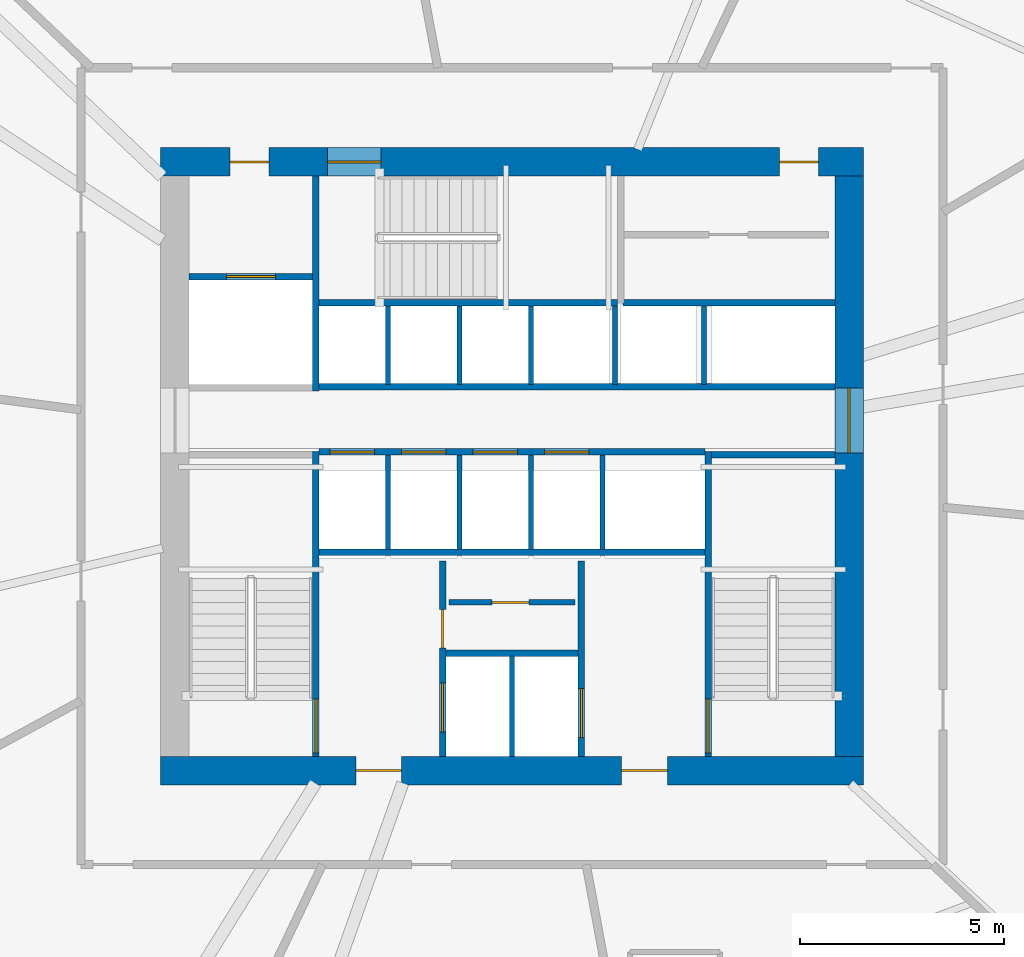
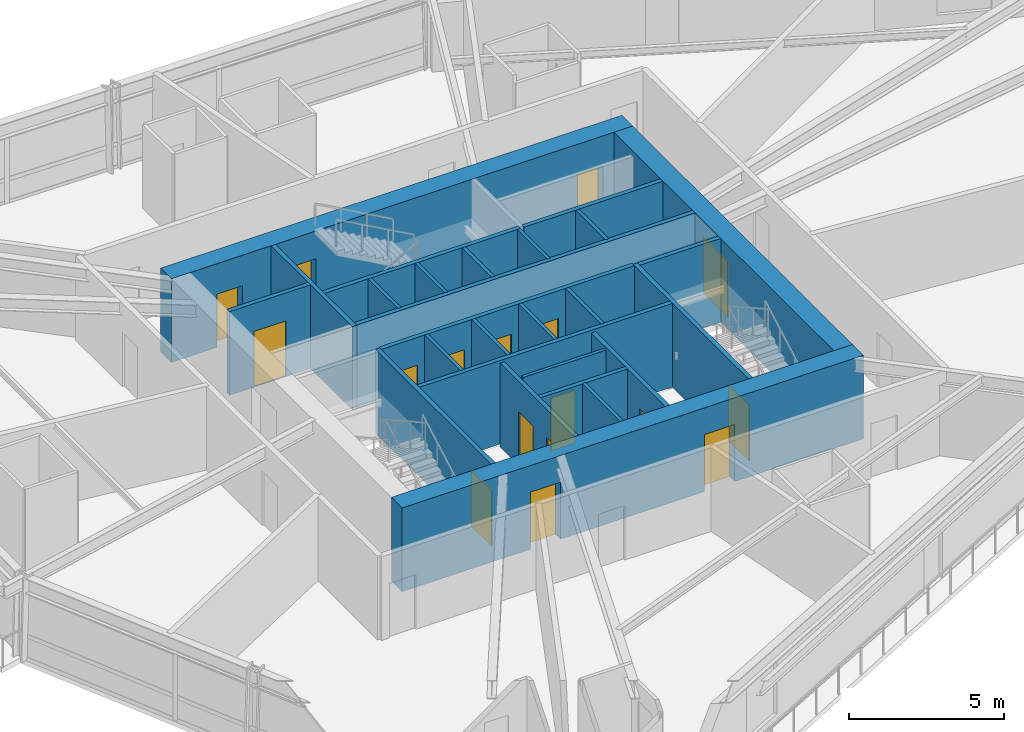
# One storey, part 15 of 21: 27 walls, 17 doors, 17 openings.
"""IFC4 building model written with IfcOpenShell, lengths in metres."""

from ifc_helpers import new_model, si_unit, direction, frame, frame_2d, origin, place, context, subcontext, project, spatial, rectangle, extrude, source, transform, mapped, material, layer, layer_set, type_object, type_shapes, element, fill, save


model = new_model("IFC4")

# Units and contexts
model_context = context("Model", 3, precision=1e-05, world=origin(), true_north=direction((0.0, 1.0)))
body_context = subcontext(model_context, "Body", "Model", "MODEL_VIEW")
ifc_project = project(units=[si_unit("LENGTHUNIT", "METRE"), si_unit("AREAUNIT", "SQUARE_METRE"), si_unit("VOLUMEUNIT", "CUBIC_METRE"), si_unit("PLANEANGLEUNIT", "RADIAN"), si_unit("MASSUNIT", "GRAM", prefix="KILO")], contexts=[model_context])

# Site, building, storey
site_placement = place(None, origin())
site = spatial("IfcSite", under=ifc_project, at=site_placement, CompositionType="ELEMENT")
building_placement = place(site_placement, origin())
building = spatial("IfcBuilding", under=site, at=building_placement, Name="Olszyna Solenne Hotel", CompositionType="ELEMENT")
storey_placement = place(building_placement, frame((0.0, 0.0, 91.5)))
storey = spatial("IfcBuildingStorey", under=building, at=storey_placement, Name="L23", CompositionType="ELEMENT", Elevation=91.5)

# Wall, openings, doors
ifc_material_1 = material(Name="Concrete C60/75", Category="concrete")
ifc_layer_1 = layer(ifc_material_1, 0.699951171875, Name="Concrete C60/75")
ifc_layer_set_1 = layer_set([ifc_layer_1], Name="Concrete C60/75")
wall_type_1 = type_object("IfcWallType", Name="WL-CR700", PredefinedType="SHEAR", material=ifc_layer_set_1)
wall_1_placement = place(storey_placement, frame((46.60009765625, 19.14990234375, 0.0), z_axis=(0.0, 0.0, 1.0), x_axis=(-1.0, 0.0, 0.0)))
wall_1 = element("IfcWall", 1, at=wall_1_placement, inside=storey, type_object=wall_type_1, Name="Core shear wall WL-CR700 CRW-L23-S", PredefinedType="SHEAR", context=body_context, shape_type="SweptSolid", body=[
    extrude(rectangle(XDim=17.2001953125, YDim=0.699951171875, at=frame_2d((8.60009765625, 0.0))), origin(), (0.0, 0.0, 1.0), 3.300048828125),
])
opening_1_placement = place(wall_1_placement, frame((4.800048828125, 0.0, 0.0)))
opening_1 = element("IfcOpeningElement", 2, at=opening_1_placement, cuts=wall_1, Name="Opening FL-L23-1", PredefinedType="OPENING", context=body_context, shape_type="SweptSolid", body=[
    extrude(rectangle(XDim=1.1201171875, YDim=2.25, at=frame_2d((0.56005859375, 1.125))), frame((0.0, 0.35986328125, 0.0), z_axis=(0.0, -1.0, 0.0), x_axis=(1.0, 0.0, 0.0)), (0.0, 0.0, 1.0), 0.719970703125),
])
opening_2_placement = place(wall_1_placement, frame((11.300048828125, 0.0, 0.0)))
opening_2 = element("IfcOpeningElement", 3, at=opening_2_placement, cuts=wall_1, Name="Opening FL-L23-2", PredefinedType="OPENING", context=body_context, shape_type="SweptSolid", body=[
    extrude(rectangle(XDim=1.1201171875, YDim=2.25, at=frame_2d((0.56005859375, 1.125))), frame((0.0, 0.35986328125, 0.0), z_axis=(0.0, -1.0, 0.0), x_axis=(1.0, 0.0, 0.0)), (0.0, 0.0, 1.0), 0.719970703125),
])
ifc_material_2 = material(Name="Steel S355J2", Category="steel")
door_type_1 = type_object("IfcDoorType", Name="DR-FL1", OperationType="NOTDEFINED", PredefinedType="DOOR", material=ifc_material_2)
shared_shape_1 = source(origin(), body_context, "Body", "SweptSolid", [
    extrude(rectangle(XDim=1.1201171875, YDim=2.25, at=frame_2d((0.56005859375, 1.125))), frame((0.0, 0.02490234375, 0.0), z_axis=(0.0, -1.0, 0.0), x_axis=(1.0, 0.0, 0.0)), (0.0, 0.0, 1.0), 0.050048828125),
])
type_shapes(door_type_1, [shared_shape_1])
door_1_placement = place(opening_1_placement, origin())
door_1 = element("IfcDoor", 4, at=door_1_placement, inside=storey, type_object=door_type_1, Name="Firefighting lift lobby smoke door FL-L23-1", OperationType="SINGLE_SWING_LEFT", OverallHeight=2.25, OverallWidth=1.1201171875, PredefinedType="DOOR", context=body_context, shape_type="MappedRepresentation", body=[
    mapped(shared_shape_1, transform((0.0, 0.0, 0.0), x_axis=(1.0, 0.0, 0.0), y_axis=(0.0, 1.0, 0.0), z_axis=(0.0, 0.0, 1.0), scale=1.0)),
])
fill(opening_1, door_1)
door_2_placement = place(opening_2_placement, origin())
door_2 = element("IfcDoor", 5, at=door_2_placement, inside=storey, type_object=door_type_1, Name="Firefighting lift lobby smoke door FL-L23-2", OperationType="SINGLE_SWING_RIGHT", OverallHeight=2.25, OverallWidth=1.1201171875, PredefinedType="DOOR", context=body_context, shape_type="MappedRepresentation", body=[
    mapped(shared_shape_1, transform((0.0, 0.0, 0.0), x_axis=(1.0, 0.0, 0.0), y_axis=(0.0, 1.0, 0.0), z_axis=(0.0, 0.0, 1.0), scale=1.0)),
])
fill(opening_2, door_2)

wall_2_placement = place(storey_placement, frame((29.39990234375, 34.050048828125, 0.0), z_axis=(0.0, 0.0, 1.0), x_axis=(1.0, 0.0, 0.0)))
wall_2 = element("IfcWall", 6, at=wall_2_placement, inside=storey, type_object=wall_type_1, Name="Core shear wall WL-CR700 CRW-L23-N", PredefinedType="SHEAR", context=body_context, shape_type="SweptSolid", body=[
    extrude(rectangle(XDim=17.2001953125, YDim=0.699951171875, at=frame_2d((8.60009765625, 0.0))), origin(), (0.0, 0.0, 1.0), 3.300048828125),
])
opening_3_placement = place(wall_2_placement, frame((1.699951171875, 0.0, 0.0)))
opening_3 = element("IfcOpeningElement", 7, at=opening_3_placement, cuts=wall_2, Name="Opening SVD-L23-01", PredefinedType="OPENING", context=body_context, shape_type="SweptSolid", body=[
    extrude(rectangle(XDim=0.949951171875, YDim=2.10009765625, at=frame_2d((0.47509765625, 1.050048828125))), frame((0.0, 0.35986328125, 0.0), z_axis=(0.0, -1.0, 0.0), x_axis=(1.0, 0.0, 0.0)), (0.0, 0.0, 1.0), 0.719970703125),
])
opening_4_placement = place(wall_2_placement, frame((4.080078125, 0.0, 0.0)))
opening_4 = element("IfcOpeningElement", 8, at=opening_4_placement, cuts=wall_2, Name="Opening STD-L23-03", PredefinedType="OPENING", context=body_context, shape_type="SweptSolid", body=[
    extrude(rectangle(XDim=1.320068359375, YDim=2.199951171875, at=frame_2d((0.66015625, 1.10009765625))), frame((0.0, 0.35986328125, 0.0), z_axis=(0.0, -1.0, 0.0), x_axis=(1.0, 0.0, 0.0)), (0.0, 0.0, 1.0), 0.719970703125),
])
opening_5_placement = place(wall_2_placement, frame((15.14990234375, 0.0, 0.0)))
opening_5 = element("IfcOpeningElement", 9, at=opening_5_placement, cuts=wall_2, Name="Opening SVD-L23-BN", PredefinedType="OPENING", context=body_context, shape_type="SweptSolid", body=[
    extrude(rectangle(XDim=0.949951171875, YDim=2.10009765625, at=frame_2d((0.47509765625, 1.050048828125))), frame((0.0, 0.35986328125, 0.0), z_axis=(0.0, -1.0, 0.0), x_axis=(1.0, 0.0, 0.0)), (0.0, 0.0, 1.0), 0.719970703125),
])
door_type_2 = type_object("IfcDoorType", Name="DR-ST1", OperationType="NOTDEFINED", PredefinedType="DOOR", material=ifc_material_2)
shared_shape_2 = source(origin(), body_context, "Body", "SweptSolid", [
    extrude(rectangle(XDim=1.320068359375, YDim=2.199951171875, at=frame_2d((0.66015625, 1.10009765625))), frame((0.0, 0.02490234375, 0.0), z_axis=(0.0, -1.0, 0.0), x_axis=(1.0, 0.0, 0.0)), (0.0, 0.0, 1.0), 0.050048828125),
])
type_shapes(door_type_2, [shared_shape_2])
door_3_placement = place(opening_4_placement, origin())
door_3 = element("IfcDoor", 10, at=door_3_placement, inside=storey, type_object=door_type_2, Name="Pressurised exit stair ST3 fire door STD-L23-03", OperationType="SINGLE_SWING_RIGHT", OverallHeight=2.199951171875, OverallWidth=1.320068359375, PredefinedType="DOOR", context=body_context, shape_type="MappedRepresentation", body=[
    mapped(shared_shape_2, transform((0.0, 0.0, 0.0), x_axis=(1.0, 0.0, 0.0), y_axis=(0.0, 1.0, 0.0), z_axis=(0.0, 0.0, 1.0), scale=1.0)),
])
fill(opening_4, door_3)
door_type_3 = type_object("IfcDoorType", Name="DR-SV1", OperationType="NOTDEFINED", PredefinedType="DOOR", material=ifc_material_2)
shared_shape_3 = source(origin(), body_context, "Body", "SweptSolid", [
    extrude(rectangle(XDim=0.949951171875, YDim=2.10009765625, at=frame_2d((0.47509765625, 1.050048828125))), frame((0.0, 0.02490234375, 0.0), z_axis=(0.0, -1.0, 0.0), x_axis=(1.0, 0.0, 0.0)), (0.0, 0.0, 1.0), 0.050048828125),
])
type_shapes(door_type_3, [shared_shape_3])
door_4_placement = place(opening_3_placement, origin())
door_4 = element("IfcDoor", 11, at=door_4_placement, inside=storey, type_object=door_type_3, Name="Service lift lobby fire door SVD-L23-01", OperationType="SINGLE_SWING_LEFT", OverallHeight=2.10009765625, OverallWidth=0.949951171875, PredefinedType="DOOR", context=body_context, shape_type="MappedRepresentation", body=[
    mapped(shared_shape_3, transform((0.0, 0.0, 0.0), x_axis=(1.0, 0.0, 0.0), y_axis=(0.0, 1.0, 0.0), z_axis=(0.0, 0.0, 1.0), scale=1.0)),
])
fill(opening_3, door_4)
door_5_placement = place(opening_5_placement, origin())
door_5 = element("IfcDoor", 12, at=door_5_placement, inside=storey, type_object=door_type_3, Name="Housekeeping core fire door SVD-L23-BN", OperationType="SINGLE_SWING_LEFT", OverallHeight=2.10009765625, OverallWidth=0.949951171875, PredefinedType="DOOR", context=body_context, shape_type="MappedRepresentation", body=[
    mapped(shared_shape_3, transform((0.0, 0.0, 0.0), x_axis=(1.0, 0.0, 0.0), y_axis=(0.0, 1.0, 0.0), z_axis=(0.0, 0.0, 1.0), scale=1.0)),
])
fill(opening_5, door_5)

# Wall, opening, door
wall_3_placement = place(storey_placement, frame((46.25, 33.699951171875, 0.0), z_axis=(0.0, 0.0, 1.0), x_axis=(0.0, -1.0, 0.0)))
wall_3 = element("IfcWall", 13, at=wall_3_placement, inside=storey, type_object=wall_type_1, Name="Core shear wall WL-CR700 CRW-L23-E", PredefinedType="SHEAR", context=body_context, shape_type="SweptSolid", body=[
    extrude(rectangle(XDim=14.199951171875, YDim=0.699951171875, at=frame_2d((7.10009765625, 0.0))), origin(), (0.0, 0.0, 1.0), 3.300048828125),
])
opening_6_placement = place(wall_3_placement, frame((5.179931640625, 0.0, 0.0)))
opening_6 = element("IfcOpeningElement", 14, at=opening_6_placement, cuts=wall_3, Name="Opening LHD-L23-E", PredefinedType="OPENING", context=body_context, shape_type="SweptSolid", body=[
    extrude(rectangle(XDim=1.60009765625, YDim=2.199951171875, at=frame_2d((0.800048828125, 1.10009765625))), frame((0.0, 0.35986328125, 0.0), z_axis=(0.0, -1.0, 0.0), x_axis=(1.0, 0.0, 0.0)), (0.0, 0.0, 1.0), 0.719970703125),
])
ifc_material_3 = material(Name="Timber hardwood", Category="wood")
door_type_4 = type_object("IfcDoorType", Name="DR-CR1", OperationType="DOUBLE_DOOR_SINGLE_SWING", PredefinedType="DOOR", material=ifc_material_3)
shared_shape_4 = source(origin(), body_context, "Body", "SweptSolid", [
    extrude(rectangle(XDim=1.60009765625, YDim=2.199951171875, at=frame_2d((0.800048828125, 1.10009765625))), frame((0.0, 0.02490234375, 0.0), z_axis=(0.0, -1.0, 0.0), x_axis=(1.0, 0.0, 0.0)), (0.0, 0.0, 1.0), 0.050048828125),
])
type_shapes(door_type_4, [shared_shape_4])
door_6_placement = place(opening_6_placement, origin())
door_6 = element("IfcDoor", 15, at=door_6_placement, inside=storey, type_object=door_type_4, Name="Passenger lift lobby East fire door LHD-L23-E", OperationType="DOUBLE_DOOR_SINGLE_SWING", OverallHeight=2.199951171875, OverallWidth=1.60009765625, PredefinedType="DOOR", context=body_context, shape_type="MappedRepresentation", body=[
    mapped(shared_shape_4, transform((0.0, 0.0, 0.0), x_axis=(1.0, 0.0, 0.0), y_axis=(0.0, 1.0, 0.0), z_axis=(0.0, 0.0, 1.0), scale=1.0)),
])
fill(opening_6, door_6)

# Wall
ifc_material_4 = material(Name="Acoustic gypsum partition", Category="gypsum")
ifc_layer_2 = layer(ifc_material_4, 0.125, Name="Acoustic gypsum partition")
ifc_layer_set_2 = layer_set([ifc_layer_2], Name="Acoustic gypsum partition")
wall_type_2 = type_object("IfcWallType", Name="WL-PT125", PredefinedType="PARTITIONING", material=ifc_layer_set_2)
wall_4_placement = place(storey_placement, frame((38.0, 19.5, 0.0), z_axis=(0.0, 0.0, 1.0), x_axis=(0.0, 1.0, 0.0)))
element("IfcWall", 16, at=wall_4_placement, inside=storey, type_object=wall_type_2, Name="Core shaft compartment wall CW-L23-FFM", PredefinedType="PARTITIONING", context=body_context, shape_type="SweptSolid", body=[
    extrude(rectangle(XDim=2.4599609375, YDim=0.125, at=frame_2d((1.22998046875, 0.0))), origin(), (0.0, 0.0, 1.0), 3.300048828125),
])

# Wall, opening, door
wall_5_placement = place(storey_placement, frame((36.4599609375, 23.27001953125, 0.0), z_axis=(0.0, 0.0, 1.0), x_axis=(1.0, 0.0, 0.0)))
wall_5 = element("IfcWall", 17, at=wall_5_placement, inside=storey, type_object=wall_type_2, Name="Core shaft compartment wall CW-L23-SC2", PredefinedType="PARTITIONING", context=body_context, shape_type="SweptSolid", body=[
    extrude(rectangle(XDim=3.080078125, YDim=0.125, at=frame_2d((1.5400390625, 0.0))), origin(), (0.0, 0.0, 1.0), 3.300048828125),
])
opening_7_placement = place(wall_5_placement, frame((1.050048828125, 0.0, 0.0)))
opening_7 = element("IfcOpeningElement", 18, at=opening_7_placement, cuts=wall_5, Name="Opening SVD-L23-SC2", PredefinedType="OPENING", context=body_context, shape_type="SweptSolid", body=[
    extrude(rectangle(XDim=0.89990234375, YDim=2.10009765625, at=frame_2d((0.449951171875, 1.050048828125))), frame((0.0, 0.072509765625, 0.0), z_axis=(0.0, -1.0, 0.0), x_axis=(1.0, 0.0, 0.0)), (0.0, 0.0, 1.0), 0.14501953125),
])
door_type_5 = type_object("IfcDoorType", Name="DR-WC1", OperationType="NOTDEFINED", PredefinedType="DOOR", material=ifc_material_3)
shared_shape_5 = source(origin(), body_context, "Body", "SweptSolid", [
    extrude(rectangle(XDim=0.89990234375, YDim=2.10009765625, at=frame_2d((0.449951171875, 1.050048828125))), frame((0.0, 0.02490234375, 0.0), z_axis=(0.0, -1.0, 0.0), x_axis=(1.0, 0.0, 0.0)), (0.0, 0.0, 1.0), 0.050048828125),
])
type_shapes(door_type_5, [shared_shape_5])
door_7_placement = place(opening_7_placement, origin())
door_7 = element("IfcDoor", 19, at=door_7_placement, inside=storey, type_object=door_type_5, Name="Butler pantry door SVD-L23-SC2", OperationType="SINGLE_SWING_RIGHT", OverallHeight=2.10009765625, OverallWidth=0.89990234375, PredefinedType="DOOR", context=body_context, shape_type="MappedRepresentation", body=[
    mapped(shared_shape_5, transform((0.0, 0.0, 0.0), x_axis=(1.0, 0.0, 0.0), y_axis=(0.0, 1.0, 0.0), z_axis=(0.0, 0.0, 1.0), scale=1.0)),
])
fill(opening_7, door_7)

# Walls
for number, where, z_axis, x_axis, name in (
    (20, (34.965087890625, 24.56005859375, 0.0), (0.0, 0.0, 1.0), (0.0, 1.0, 0.0), "Core shaft compartment wall CW-L23-DIVS349"),
    (21, (36.715087890625, 24.56005859375, 0.0), (0.0, 0.0, 1.0), (0.0, 1.0, 0.0), "Core shaft compartment wall CW-L23-DIVS367"),
    (22, (38.465087890625, 24.56005859375, 0.0), (0.0, 0.0, 1.0), (0.0, 1.0, 0.0), "Core shaft compartment wall CW-L23-DIVS384"),
    (23, (40.215087890625, 24.56005859375, 0.0), (0.0, 0.0, 1.0), (0.0, 1.0, 0.0), "Core shaft compartment wall CW-L23-DIVS402"),
):
    element("IfcWall", number, at=place(storey_placement, frame(where, z_axis=z_axis, x_axis=x_axis)), inside=storey, type_object=wall_type_2, Name=name, PredefinedType="PARTITIONING", context=body_context, shape_type="SweptSolid", body=[
        extrude(rectangle(XDim=2.31005859375, YDim=0.125, at=frame_2d((1.155029296875, 0.0))), origin(), (0.0, 0.0, 1.0), 3.300048828125),
    ])
for number, where, z_axis, x_axis, name in (
    (24, (34.965087890625, 28.60009765625, 0.0), (0.0, 0.0, 1.0), (0.0, 1.0, 0.0), "Core shaft compartment wall CW-L23-DIVN349"),
    (25, (36.715087890625, 28.60009765625, 0.0), (0.0, 0.0, 1.0), (0.0, 1.0, 0.0), "Core shaft compartment wall CW-L23-DIVN367"),
    (26, (38.465087890625, 28.60009765625, 0.0), (0.0, 0.0, 1.0), (0.0, 1.0, 0.0), "Core shaft compartment wall CW-L23-DIVN384"),
    (27, (40.52490234375, 28.60009765625, 0.0), (0.0, 0.0, 1.0), (0.0, 1.0, 0.0), "Core shaft compartment wall CW-L23-DIVEX405"),
    (28, (42.699951171875, 28.60009765625, 0.0), (0.0, 0.0, 1.0), (0.0, 1.0, 0.0), "Core shaft compartment wall CW-L23-DIVEX427"),
):
    element("IfcWall", number, at=place(storey_placement, frame(where, z_axis=z_axis, x_axis=x_axis)), inside=storey, type_object=wall_type_2, Name=name, PredefinedType="PARTITIONING", context=body_context, shape_type="SweptSolid", body=[
        extrude(rectangle(XDim=1.919921875, YDim=0.125, at=frame_2d((0.9599609375, 0.0))), origin(), (0.0, 0.0, 1.0), 3.300048828125),
    ])

# Wall, opening, door
ifc_layer_3 = layer(ifc_material_4, 0.159912109375, Name="Acoustic gypsum partition")
ifc_layer_set_3 = layer_set([ifc_layer_3], Name="Acoustic gypsum partition")
wall_type_3 = type_object("IfcWallType", Name="WL-PT160", PredefinedType="PARTITIONING", material=ifc_layer_set_3)
wall_6_placement = place(storey_placement, frame((33.199951171875, 19.5, 0.0), z_axis=(0.0, 0.0, 1.0), x_axis=(0.0, 1.0, 0.0)))
wall_6 = element("IfcWall", 29, at=wall_6_placement, inside=storey, type_object=wall_type_3, Name="Core shaft compartment wall CW-L23-ST1E", PredefinedType="PARTITIONING", context=body_context, shape_type="SweptSolid", body=[
    extrude(rectangle(XDim=7.4599609375, YDim=0.159912109375, at=frame_2d((3.72998046875, 0.0))), origin(), (0.0, 0.0, 1.0), 3.300048828125),
])
opening_8_placement = place(wall_6_placement, frame((0.080078125, 0.0, 0.0)))
opening_8 = element("IfcOpeningElement", 30, at=opening_8_placement, cuts=wall_6, Name="Opening STD-L23-01", PredefinedType="OPENING", context=body_context, shape_type="SweptSolid", body=[
    extrude(rectangle(XDim=1.320068359375, YDim=2.199951171875, at=frame_2d((0.66015625, 1.10009765625))), frame((0.0, 0.08984375, 0.0), z_axis=(0.0, -1.0, 0.0), x_axis=(1.0, 0.0, 0.0)), (0.0, 0.0, 1.0), 0.179931640625),
])
door_8_placement = place(opening_8_placement, origin())
door_8 = element("IfcDoor", 31, at=door_8_placement, inside=storey, type_object=door_type_2, Name="Pressurised exit stair ST1 fire door STD-L23-01", OperationType="SINGLE_SWING_LEFT", OverallHeight=2.199951171875, OverallWidth=1.320068359375, PredefinedType="DOOR", context=body_context, shape_type="MappedRepresentation", body=[
    mapped(shared_shape_2, transform((0.0, 0.0, 0.0), x_axis=(1.0, 0.0, 0.0), y_axis=(0.0, 1.0, 0.0), z_axis=(0.0, 0.0, 1.0), scale=1.0)),
])
fill(opening_8, door_8)

wall_7_placement = place(storey_placement, frame((42.800048828125, 26.9599609375, 0.0), z_axis=(0.0, 0.0, 1.0), x_axis=(0.0, -1.0, 0.0)))
wall_7 = element("IfcWall", 32, at=wall_7_placement, inside=storey, type_object=wall_type_3, Name="Core shaft compartment wall CW-L23-ST2W", PredefinedType="PARTITIONING", context=body_context, shape_type="SweptSolid", body=[
    extrude(rectangle(XDim=7.4599609375, YDim=0.159912109375, at=frame_2d((3.72998046875, 0.0))), origin(), (0.0, 0.0, 1.0), 3.300048828125),
])
opening_9_placement = place(wall_7_placement, frame((6.06005859375, 0.0, 0.0)))
opening_9 = element("IfcOpeningElement", 33, at=opening_9_placement, cuts=wall_7, Name="Opening STD-L23-02", PredefinedType="OPENING", context=body_context, shape_type="SweptSolid", body=[
    extrude(rectangle(XDim=1.320068359375, YDim=2.199951171875, at=frame_2d((0.66015625, 1.10009765625))), frame((0.0, 0.08984375, 0.0), z_axis=(0.0, -1.0, 0.0), x_axis=(1.0, 0.0, 0.0)), (0.0, 0.0, 1.0), 0.179931640625),
])
door_9_placement = place(opening_9_placement, origin())
door_9 = element("IfcDoor", 34, at=door_9_placement, inside=storey, type_object=door_type_2, Name="Pressurised exit stair ST2 fire door STD-L23-02", OperationType="SINGLE_SWING_RIGHT", OverallHeight=2.199951171875, OverallWidth=1.320068359375, PredefinedType="DOOR", context=body_context, shape_type="MappedRepresentation", body=[
    mapped(shared_shape_2, transform((0.0, 0.0, 0.0), x_axis=(1.0, 0.0, 0.0), y_axis=(0.0, 1.0, 0.0), z_axis=(0.0, 0.0, 1.0), scale=1.0)),
])
fill(opening_9, door_9)

# Walls
wall_8_placement = place(storey_placement, frame((42.8798828125, 26.8798828125, 0.0), z_axis=(0.0, 0.0, 1.0), x_axis=(1.0, 0.0, 0.0)))
element("IfcWall", 35, at=wall_8_placement, inside=storey, type_object=wall_type_3, Name="Core shaft compartment wall CW-L23-ST2N", PredefinedType="PARTITIONING", context=body_context, shape_type="SweptSolid", body=[
    extrude(rectangle(XDim=3.02001953125, YDim=0.159912109375, at=frame_2d((1.510009765625, 0.0))), origin(), (0.0, 0.0, 1.0), 3.300048828125),
])
wall_9_placement = place(storey_placement, frame((33.280029296875, 30.60009765625, 0.0), z_axis=(0.0, 0.0, 1.0), x_axis=(1.0, 0.0, 0.0)))
element("IfcWall", 36, at=wall_9_placement, inside=storey, type_object=wall_type_3, Name="Core shaft compartment wall CW-L23-ST3S", PredefinedType="PARTITIONING", context=body_context, shape_type="SweptSolid", body=[
    extrude(rectangle(XDim=7.300048828125, YDim=0.159912109375, at=frame_2d((3.64990234375, 0.0))), origin(), (0.0, 0.0, 1.0), 3.300048828125),
])

# Wall, openings, doors
wall_10_placement = place(storey_placement, frame((36.300048828125, 19.5, 0.0), z_axis=(0.0, 0.0, 1.0), x_axis=(0.0, 1.0, 0.0)))
wall_10 = element("IfcWall", 37, at=wall_10_placement, inside=storey, type_object=wall_type_3, Name="Core shaft compartment wall CW-L23-FF1W", PredefinedType="PARTITIONING", context=body_context, shape_type="SweptSolid", body=[
    extrude(rectangle(XDim=4.780029296875, YDim=0.159912109375, at=frame_2d((2.39013671875, 0.0))), origin(), (0.0, 0.0, 1.0), 3.300048828125),
])
opening_10_placement = place(wall_10_placement, frame((0.60009765625, 0.0, 0.0)))
opening_10 = element("IfcOpeningElement", 38, at=opening_10_placement, cuts=wall_10, Name="Opening LD-L23-FF1", PredefinedType="OPENING", context=body_context, shape_type="SweptSolid", body=[
    extrude(rectangle(XDim=1.199951171875, YDim=2.199951171875, at=frame_2d((0.60009765625, 1.10009765625))), frame((0.0, 0.08984375, 0.0), z_axis=(0.0, -1.0, 0.0), x_axis=(1.0, 0.0, 0.0)), (0.0, 0.0, 1.0), 0.179931640625),
])
opening_11_placement = place(wall_10_placement, frame((2.64990234375, 0.0, 0.0)))
opening_11 = element("IfcOpeningElement", 39, at=opening_11_placement, cuts=wall_10, Name="Opening SVD-L23-SMK", PredefinedType="OPENING", context=body_context, shape_type="SweptSolid", body=[
    extrude(rectangle(XDim=0.949951171875, YDim=2.10009765625, at=frame_2d((0.47509765625, 1.050048828125))), frame((0.0, 0.08984375, 0.0), z_axis=(0.0, -1.0, 0.0), x_axis=(1.0, 0.0, 0.0)), (0.0, 0.0, 1.0), 0.179931640625),
])
door_10_placement = place(opening_11_placement, origin())
door_10 = element("IfcDoor", 40, at=door_10_placement, inside=storey, type_object=door_type_3, Name="Valet and core service room door SVD-L23-SMK", OperationType="SINGLE_SWING_LEFT", OverallHeight=2.10009765625, OverallWidth=0.949951171875, PredefinedType="DOOR", context=body_context, shape_type="MappedRepresentation", body=[
    mapped(shared_shape_3, transform((0.0, 0.0, 0.0), x_axis=(1.0, 0.0, 0.0), y_axis=(0.0, 1.0, 0.0), z_axis=(0.0, 0.0, 1.0), scale=1.0)),
])
fill(opening_11, door_10)
door_type_6 = type_object("IfcDoorType", Name="LD-FF1", OperationType="DOUBLE_DOOR_SLIDING", PredefinedType="DOOR", material=ifc_material_2)
shared_shape_6 = source(origin(), body_context, "Body", "SweptSolid", [
    extrude(rectangle(XDim=1.199951171875, YDim=2.199951171875, at=frame_2d((0.60009765625, 1.10009765625))), frame((0.0, 0.02490234375, 0.0), z_axis=(0.0, -1.0, 0.0), x_axis=(1.0, 0.0, 0.0)), (0.0, 0.0, 1.0), 0.050048828125),
])
type_shapes(door_type_6, [shared_shape_6])
door_11_placement = place(opening_10_placement, origin())
door_11 = element("IfcDoor", 41, at=door_11_placement, inside=storey, type_object=door_type_6, Name="Firefighters lift FF1 sliding landing door LD-L23-FF1", OperationType="DOUBLE_DOOR_SLIDING", OverallHeight=2.199951171875, OverallWidth=1.199951171875, PredefinedType="DOOR", context=body_context, shape_type="MappedRepresentation", body=[
    mapped(shared_shape_6, transform((0.0, 0.0, 0.0), x_axis=(1.0, 0.0, 0.0), y_axis=(0.0, 1.0, 0.0), z_axis=(0.0, 0.0, 1.0), scale=1.0)),
])
fill(opening_10, door_11)

# Wall, opening, door
wall_11_placement = place(storey_placement, frame((39.699951171875, 24.280029296875, 0.0), z_axis=(0.0, 0.0, 1.0), x_axis=(0.0, -1.0, 0.0)))
wall_11 = element("IfcWall", 42, at=wall_11_placement, inside=storey, type_object=wall_type_3, Name="Core shaft compartment wall CW-L23-FF2E", PredefinedType="PARTITIONING", context=body_context, shape_type="SweptSolid", body=[
    extrude(rectangle(XDim=4.780029296875, YDim=0.159912109375, at=frame_2d((2.39013671875, 0.0))), origin(), (0.0, 0.0, 1.0), 3.300048828125),
])
opening_12_placement = place(wall_11_placement, frame((3.1201171875, 0.0, 0.0)))
opening_12 = element("IfcOpeningElement", 43, at=opening_12_placement, cuts=wall_11, Name="Opening LD-L23-FF2", PredefinedType="OPENING", context=body_context, shape_type="SweptSolid", body=[
    extrude(rectangle(XDim=1.199951171875, YDim=2.199951171875, at=frame_2d((0.60009765625, 1.10009765625))), frame((0.0, 0.08984375, 0.0), z_axis=(0.0, -1.0, 0.0), x_axis=(1.0, 0.0, 0.0)), (0.0, 0.0, 1.0), 0.179931640625),
])
door_12_placement = place(opening_12_placement, origin())
door_12 = element("IfcDoor", 44, at=door_12_placement, inside=storey, type_object=door_type_6, Name="Firefighters lift FF2 sliding landing door LD-L23-FF2", OperationType="DOUBLE_DOOR_SLIDING", OverallHeight=2.199951171875, OverallWidth=1.199951171875, PredefinedType="DOOR", context=body_context, shape_type="MappedRepresentation", body=[
    mapped(shared_shape_6, transform((0.0, 0.0, 0.0), x_axis=(1.0, 0.0, 0.0), y_axis=(0.0, 1.0, 0.0), z_axis=(0.0, 0.0, 1.0), scale=1.0)),
])
fill(opening_12, door_12)

# Walls
wall_12_placement = place(storey_placement, frame((36.3798828125, 22.02001953125, 0.0), z_axis=(0.0, 0.0, 1.0), x_axis=(1.0, 0.0, 0.0)))
element("IfcWall", 45, at=wall_12_placement, inside=storey, type_object=wall_type_3, Name="Core shaft compartment wall CW-L23-FFN", PredefinedType="PARTITIONING", context=body_context, shape_type="SweptSolid", body=[
    extrude(rectangle(XDim=3.240234375, YDim=0.159912109375, at=frame_2d((1.6201171875, 0.0))), origin(), (0.0, 0.0, 1.0), 3.300048828125),
])
wall_13_placement = place(storey_placement, frame((33.280029296875, 24.489990234375, 0.0), z_axis=(0.0, 0.0, 1.0), x_axis=(1.0, 0.0, 0.0)))
element("IfcWall", 46, at=wall_13_placement, inside=storey, type_object=wall_type_3, Name="Core shaft compartment wall CW-L23-FFBN", PredefinedType="PARTITIONING", context=body_context, shape_type="SweptSolid", body=[
    extrude(rectangle(XDim=9.43994140625, YDim=0.159912109375, at=frame_2d((4.719970703125, 0.0))), origin(), (0.0, 0.0, 1.0), 3.300048828125),
])
wall_14_placement = place(storey_placement, frame((33.199951171875, 28.43994140625, 0.0), z_axis=(0.0, 0.0, 1.0), x_axis=(0.0, 1.0, 0.0)))
element("IfcWall", 47, at=wall_14_placement, inside=storey, type_object=wall_type_3, Name="Core shaft compartment wall CW-L23-SV1E", PredefinedType="PARTITIONING", context=body_context, shape_type="SweptSolid", body=[
    extrude(rectangle(XDim=5.260009765625, YDim=0.159912109375, at=frame_2d((2.6298828125, 0.0))), origin(), (0.0, 0.0, 1.0), 3.300048828125),
])

# Wall, opening, door
wall_15_placement = place(storey_placement, frame((30.10009765625, 31.239990234375, 0.0), z_axis=(0.0, 0.0, 1.0), x_axis=(1.0, 0.0, 0.0)))
wall_15 = element("IfcWall", 48, at=wall_15_placement, inside=storey, type_object=wall_type_3, Name="Core shaft compartment wall CW-L23-SV1N", PredefinedType="PARTITIONING", context=body_context, shape_type="SweptSolid", body=[
    extrude(rectangle(XDim=3.02001953125, YDim=0.159912109375, at=frame_2d((1.510009765625, 0.0))), origin(), (0.0, 0.0, 1.0), 3.300048828125),
])
opening_13_placement = place(wall_15_placement, frame((0.909912109375, 0.0, 0.0)))
opening_13 = element("IfcOpeningElement", 49, at=opening_13_placement, cuts=wall_15, Name="Opening LD-L23-SV1", PredefinedType="OPENING", context=body_context, shape_type="SweptSolid", body=[
    extrude(rectangle(XDim=1.199951171875, YDim=2.199951171875, at=frame_2d((0.60009765625, 1.10009765625))), frame((0.0, 0.08984375, 0.0), z_axis=(0.0, -1.0, 0.0), x_axis=(1.0, 0.0, 0.0)), (0.0, 0.0, 1.0), 0.179931640625),
])
door_13_placement = place(opening_13_placement, origin())
door_13 = element("IfcDoor", 50, at=door_13_placement, inside=storey, type_object=door_type_6, Name="Service lift SV1 sliding landing door LD-L23-SV1", OperationType="DOUBLE_DOOR_SLIDING", OverallHeight=2.199951171875, OverallWidth=1.199951171875, PredefinedType="DOOR", context=body_context, shape_type="MappedRepresentation", body=[
    mapped(shared_shape_6, transform((0.0, 0.0, 0.0), x_axis=(1.0, 0.0, 0.0), y_axis=(0.0, 1.0, 0.0), z_axis=(0.0, 0.0, 1.0), scale=1.0)),
])
fill(opening_13, door_13)

# Wall, openings, doors
wall_16_placement = place(storey_placement, frame((33.280029296875, 26.949951171875, 0.0), z_axis=(0.0, 0.0, 1.0), x_axis=(1.0, 0.0, 0.0)))
wall_16 = element("IfcWall", 51, at=wall_16_placement, inside=storey, type_object=wall_type_3, Name="Core shaft compartment wall CW-L23-LRS", PredefinedType="PARTITIONING", context=body_context, shape_type="SweptSolid", body=[
    extrude(rectangle(XDim=9.43994140625, YDim=0.159912109375, at=frame_2d((4.719970703125, 0.0))), origin(), (0.0, 0.0, 1.0), 3.300048828125),
])
opening_14_placement = place(wall_16_placement, frame((0.260009765625, 0.0, 0.0)))
opening_14 = element("IfcOpeningElement", 52, at=opening_14_placement, cuts=wall_16, Name="Opening LD-L23-PL1", PredefinedType="OPENING", context=body_context, shape_type="SweptSolid", body=[
    extrude(rectangle(XDim=1.10009765625, YDim=2.199951171875, at=frame_2d((0.550048828125, 1.10009765625))), frame((0.0, 0.08984375, 0.0), z_axis=(0.0, -1.0, 0.0), x_axis=(1.0, 0.0, 0.0)), (0.0, 0.0, 1.0), 0.179931640625),
])
opening_15_placement = place(wall_16_placement, frame((2.010009765625, 0.0, 0.0)))
opening_15 = element("IfcOpeningElement", 53, at=opening_15_placement, cuts=wall_16, Name="Opening LD-L23-PL2", PredefinedType="OPENING", context=body_context, shape_type="SweptSolid", body=[
    extrude(rectangle(XDim=1.10009765625, YDim=2.199951171875, at=frame_2d((0.550048828125, 1.10009765625))), frame((0.0, 0.08984375, 0.0), z_axis=(0.0, -1.0, 0.0), x_axis=(1.0, 0.0, 0.0)), (0.0, 0.0, 1.0), 0.179931640625),
])
opening_16_placement = place(wall_16_placement, frame((3.760009765625, 0.0, 0.0)))
opening_16 = element("IfcOpeningElement", 54, at=opening_16_placement, cuts=wall_16, Name="Opening LD-L23-PL3", PredefinedType="OPENING", context=body_context, shape_type="SweptSolid", body=[
    extrude(rectangle(XDim=1.10009765625, YDim=2.199951171875, at=frame_2d((0.550048828125, 1.10009765625))), frame((0.0, 0.08984375, 0.0), z_axis=(0.0, -1.0, 0.0), x_axis=(1.0, 0.0, 0.0)), (0.0, 0.0, 1.0), 0.179931640625),
])
opening_17_placement = place(wall_16_placement, frame((5.510009765625, 0.0, 0.0)))
opening_17 = element("IfcOpeningElement", 55, at=opening_17_placement, cuts=wall_16, Name="Opening LD-L23-PL4", PredefinedType="OPENING", context=body_context, shape_type="SweptSolid", body=[
    extrude(rectangle(XDim=1.10009765625, YDim=2.199951171875, at=frame_2d((0.550048828125, 1.10009765625))), frame((0.0, 0.08984375, 0.0), z_axis=(0.0, -1.0, 0.0), x_axis=(1.0, 0.0, 0.0)), (0.0, 0.0, 1.0), 0.179931640625),
])
door_type_7 = type_object("IfcDoorType", Name="LD-P1", OperationType="DOUBLE_DOOR_SLIDING", PredefinedType="DOOR", material=ifc_material_2)
shared_shape_7 = source(origin(), body_context, "Body", "SweptSolid", [
    extrude(rectangle(XDim=1.10009765625, YDim=2.199951171875, at=frame_2d((0.550048828125, 1.10009765625))), frame((0.0, 0.02490234375, 0.0), z_axis=(0.0, -1.0, 0.0), x_axis=(1.0, 0.0, 0.0)), (0.0, 0.0, 1.0), 0.050048828125),
])
type_shapes(door_type_7, [shared_shape_7])
door_14_placement = place(opening_14_placement, origin())
door_14 = element("IfcDoor", 56, at=door_14_placement, inside=storey, type_object=door_type_7, Name="Passenger lift PL1 sliding landing door LD-L23-PL1", OperationType="DOUBLE_DOOR_SLIDING", OverallHeight=2.199951171875, OverallWidth=1.10009765625, PredefinedType="DOOR", context=body_context, shape_type="MappedRepresentation", body=[
    mapped(shared_shape_7, transform((0.0, 0.0, 0.0), x_axis=(1.0, 0.0, 0.0), y_axis=(0.0, 1.0, 0.0), z_axis=(0.0, 0.0, 1.0), scale=1.0)),
])
fill(opening_14, door_14)
door_15_placement = place(opening_15_placement, origin())
door_15 = element("IfcDoor", 57, at=door_15_placement, inside=storey, type_object=door_type_7, Name="Passenger lift PL2 sliding landing door LD-L23-PL2", OperationType="DOUBLE_DOOR_SLIDING", OverallHeight=2.199951171875, OverallWidth=1.10009765625, PredefinedType="DOOR", context=body_context, shape_type="MappedRepresentation", body=[
    mapped(shared_shape_7, transform((0.0, 0.0, 0.0), x_axis=(1.0, 0.0, 0.0), y_axis=(0.0, 1.0, 0.0), z_axis=(0.0, 0.0, 1.0), scale=1.0)),
])
fill(opening_15, door_15)
door_16_placement = place(opening_16_placement, origin())
door_16 = element("IfcDoor", 58, at=door_16_placement, inside=storey, type_object=door_type_7, Name="Passenger lift PL3 sliding landing door LD-L23-PL3", OperationType="DOUBLE_DOOR_SLIDING", OverallHeight=2.199951171875, OverallWidth=1.10009765625, PredefinedType="DOOR", context=body_context, shape_type="MappedRepresentation", body=[
    mapped(shared_shape_7, transform((0.0, 0.0, 0.0), x_axis=(1.0, 0.0, 0.0), y_axis=(0.0, 1.0, 0.0), z_axis=(0.0, 0.0, 1.0), scale=1.0)),
])
fill(opening_16, door_16)
door_17_placement = place(opening_17_placement, origin())
door_17 = element("IfcDoor", 59, at=door_17_placement, inside=storey, type_object=door_type_7, Name="Passenger lift PL4 sliding landing door LD-L23-PL4", OperationType="DOUBLE_DOOR_SLIDING", OverallHeight=2.199951171875, OverallWidth=1.10009765625, PredefinedType="DOOR", context=body_context, shape_type="MappedRepresentation", body=[
    mapped(shared_shape_7, transform((0.0, 0.0, 0.0), x_axis=(1.0, 0.0, 0.0), y_axis=(0.0, 1.0, 0.0), z_axis=(0.0, 0.0, 1.0), scale=1.0)),
])
fill(opening_17, door_17)

# Walls
wall_17_placement = place(storey_placement, frame((33.280029296875, 28.5400390625, 0.0), z_axis=(0.0, 0.0, 1.0), x_axis=(1.0, 0.0, 0.0)))
element("IfcWall", 60, at=wall_17_placement, inside=storey, type_object=wall_type_3, Name="Core shaft compartment wall CW-L23-LRN", PredefinedType="PARTITIONING", context=body_context, shape_type="SweptSolid", body=[
    extrude(rectangle(XDim=12.619873046875, YDim=0.159912109375, at=frame_2d((6.31005859375, 0.0))), origin(), (0.0, 0.0, 1.0), 3.300048828125),
])
wall_18_placement = place(storey_placement, frame((40.719970703125, 30.60009765625, 0.0), z_axis=(0.0, 0.0, 1.0), x_axis=(1.0, 0.0, 0.0)))
element("IfcWall", 61, at=wall_18_placement, inside=storey, type_object=wall_type_3, Name="Core shaft compartment wall CW-L23-LRNTOP", PredefinedType="PARTITIONING", context=body_context, shape_type="SweptSolid", body=[
    extrude(rectangle(XDim=5.179931640625, YDim=0.159912109375, at=frame_2d((2.58984375, 0.0))), origin(), (0.0, 0.0, 1.0), 3.300048828125),
])

save(model, "model.ifc")
